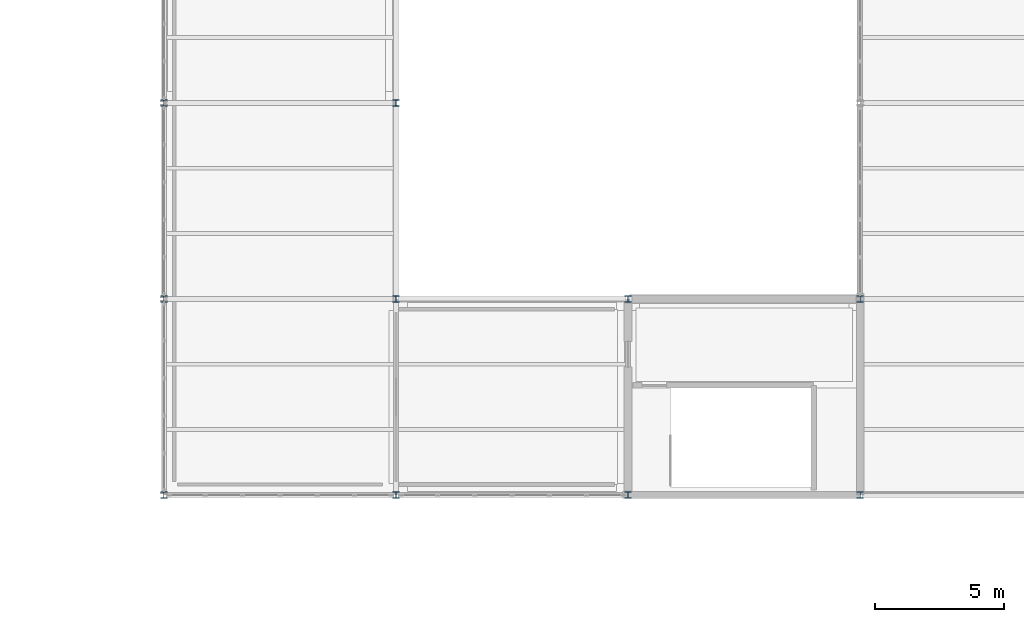
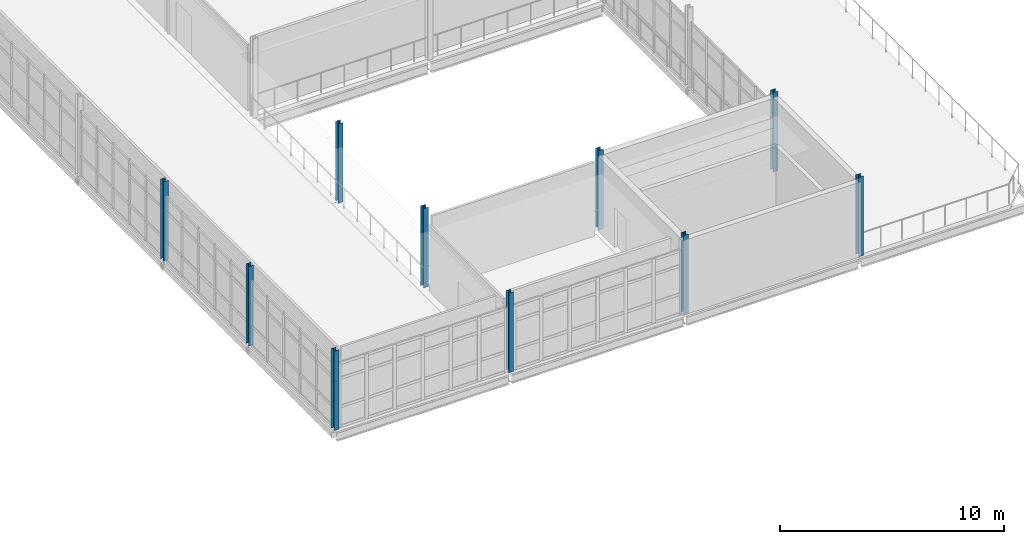
# One storey, part 3 of 48: 10 columns.
"""IFC4 building model written with IfcOpenShell, lengths in metres."""

from ifc_helpers import new_model, si_unit, direction, frame, origin, origin_2d, place, context, subcontext, project, spatial, i_section, extrude, material, material_profile, profile_set, type_object, element, save


model = new_model("IFC4")

# Units and contexts
model_context = context("Model", 3, precision=1e-05, world=origin(), true_north=direction((0.0, 1.0)))
body_context = subcontext(model_context, "Body", "Model", "MODEL_VIEW")
ifc_project = project(units=[si_unit("LENGTHUNIT", "METRE"), si_unit("AREAUNIT", "SQUARE_METRE"), si_unit("VOLUMEUNIT", "CUBIC_METRE"), si_unit("PLANEANGLEUNIT", "RADIAN"), si_unit("MASSUNIT", "GRAM", prefix="KILO")], contexts=[model_context])

# Site, building, storey
site_placement = place(None, origin())
site = spatial("IfcSite", under=ifc_project, at=site_placement, CompositionType="ELEMENT")
building_placement = place(site_placement, origin())
building = spatial("IfcBuilding", under=site, at=building_placement, Name="Caisbarro Railhouse Central Library", CompositionType="ELEMENT")
storey_placement = place(building_placement, frame((0.0, 0.0, 18.0)))
storey = spatial("IfcBuildingStorey", under=building, at=storey_placement, Name="L04", CompositionType="ELEMENT", Elevation=18.0)

# Columns
ifc_material = material(Name="Steel ASTM A572 Grade 50", Category="steel")
ifc_material_profile = material_profile(ifc_material, i_section(OverallWidth=0.25390625, OverallDepth=0.2529296875, WebThickness=0.008544921875, FlangeThickness=0.01416015625, FilletRadius=0.011962890625, at=origin_2d()), Name="W250X73.0")
ifc_profile_set = profile_set([ifc_material_profile], Name="Steel ASTM A572 Grade 50")
column_type = type_object("IfcColumnType", Name="COL-C08", PredefinedType="COLUMN", material=ifc_profile_set)
for number, where, z_axis, x_axis, name in (
    (1, (117.0, 68.39990234375, 0.0), (0.0, 0.0, 1.0), (1.0, 0.0, 0.0), "C08 column L04 (117.0,68.4)"),
    (2, (117.0, 76.0, 0.0), (0.0, 0.0, 1.0), (1.0, 0.0, 0.0), "C08 column L04 (117.0,76.0)"),
    (3, (117.0, 83.60009765625, 0.0), (0.0, 0.0, 1.0), (1.0, 0.0, 0.0), "C08 column L04 (117.0,83.6)"),
    (4, (126.0, 68.39990234375, 0.0), (0.0, 0.0, 1.0), (1.0, 0.0, 0.0), "C08 column L04 (126.0,68.4)"),
    (5, (126.0, 76.0, 0.0), (0.0, 0.0, 1.0), (1.0, 0.0, 0.0), "C08 column L04 (126.0,76.0)"),
    (6, (126.0, 83.60009765625, 0.0), (0.0, 0.0, 1.0), (1.0, 0.0, 0.0), "C08 column L04 (126.0,83.6)"),
    (7, (135.0, 68.39990234375, 0.0), (0.0, 0.0, 1.0), (1.0, 0.0, 0.0), "C08 column L04 (135.0,68.4)"),
    (8, (135.0, 76.0, 0.0), (0.0, 0.0, 1.0), (1.0, 0.0, 0.0), "C08 column L04 (135.0,76.0)"),
    (9, (144.0, 68.39990234375, 0.0), (0.0, 0.0, 1.0), (1.0, 0.0, 0.0), "C08 column L04 (144.0,68.4)"),
    (10, (144.0, 76.0, 0.0), (0.0, 0.0, 1.0), (1.0, 0.0, 0.0), "C08 column L04 (144.0,76.0)"),
):
    element("IfcColumn", number, at=place(storey_placement, frame(where, z_axis=z_axis, x_axis=x_axis)), inside=storey, type_object=column_type, Name=name, PredefinedType="COLUMN", context=body_context, shape_type="SweptSolid", body=[
        extrude(i_section(OverallWidth=0.25390625, OverallDepth=0.2529296875, WebThickness=0.008544921875, FlangeThickness=0.01416015625, FilletRadius=0.011962890625, at=origin_2d()), origin(), (0.0, 0.0, 1.0), 4.320068359375),
    ])

save(model, "model.ifc")
